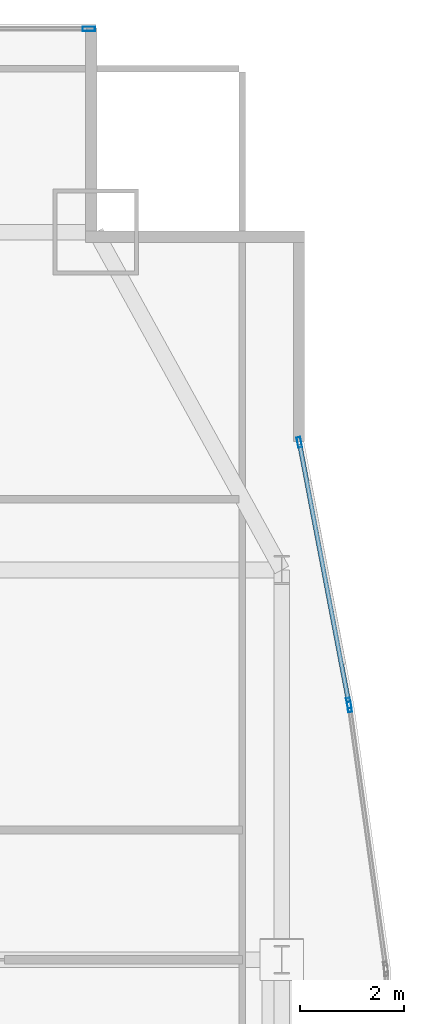
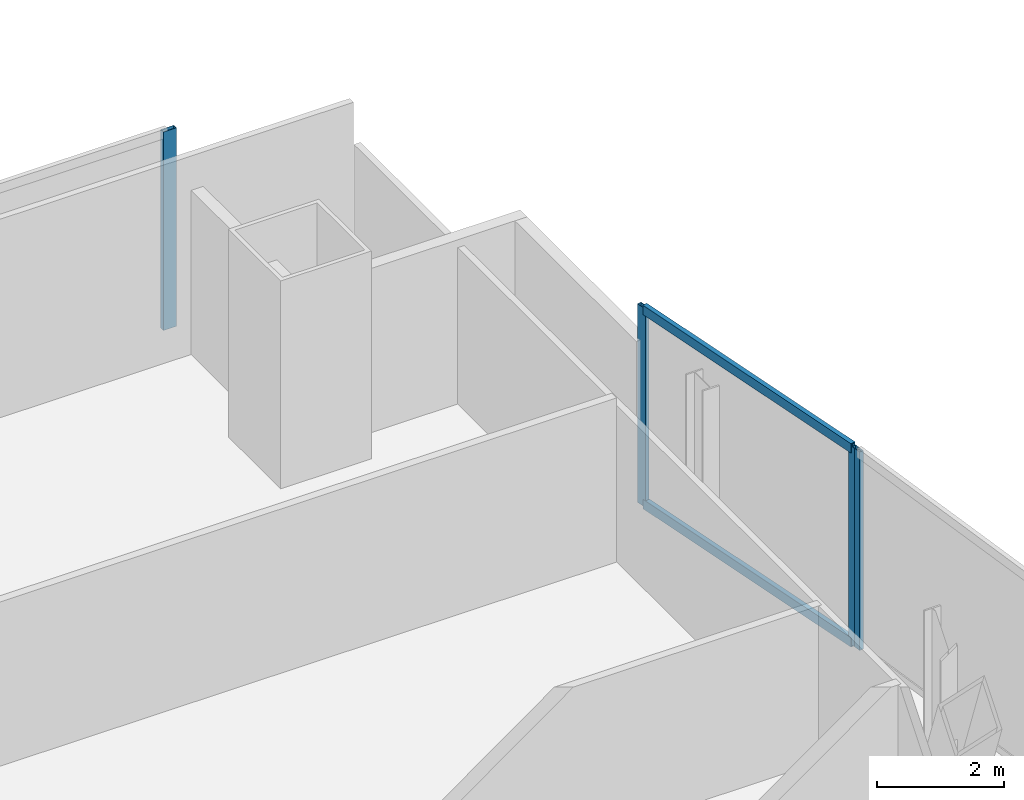
# One storey, part 27 of 37: 6 members, 3 elements without a shape of their own.
"""IFC4 building model written with IfcOpenShell, lengths in metres."""

from ifc_helpers import new_model, si_unit, direction, frame, origin, origin_2d, place, context, subcontext, project, spatial, hollow_rectangle, extrude, material, material_profile, profile_set, type_object, element, aggregate, save


model = new_model("IFC4")

# Units and contexts
model_context = context("Model", 3, precision=1e-05, world=origin(), true_north=direction((0.0, 1.0)))
body_context = subcontext(model_context, "Body", "Model", "MODEL_VIEW")
ifc_project = project(units=[si_unit("LENGTHUNIT", "METRE"), si_unit("AREAUNIT", "SQUARE_METRE"), si_unit("VOLUMEUNIT", "CUBIC_METRE"), si_unit("PLANEANGLEUNIT", "RADIAN"), si_unit("MASSUNIT", "GRAM", prefix="KILO")], contexts=[model_context])

# Site, building, storey
site_placement = place(None, origin())
site = spatial("IfcSite", under=ifc_project, at=site_placement, CompositionType="ELEMENT")
building_placement = place(site_placement, origin())
building = spatial("IfcBuilding", under=site, at=building_placement, Name="Khoronbel Lancet Exchange", CompositionType="ELEMENT")
storey_placement = place(building_placement, frame((0.0, 0.0, 61.800048828125)))
storey = spatial("IfcBuildingStorey", under=building, at=storey_placement, Name="L14", CompositionType="ELEMENT", Elevation=61.800048828125)

# Curtain wall, member
ifc_material_1 = material(Name="Low-E Solar Control Insulating Glass", Category="glass")
curtain_wall_type_1 = type_object("IfcCurtainWallType", Name="CW-1", PredefinedType="NOTDEFINED", material=ifc_material_1)
curtain_wall_1_placement = place(storey_placement, origin())
curtain_wall_1 = element("IfcCurtainWall", 1, at=curtain_wall_1_placement, inside=storey, type_object=curtain_wall_type_1, Name="Unitised curtain wall CW-L14-NEFLK", PredefinedType="NOTDEFINED")
ifc_material_2 = material(Name="Bronze-Anodised Aluminium 6063-T6", Category="aluminium")
ifc_material_profile_1 = material_profile(ifc_material_2, hollow_rectangle(XDim=0.0849609375, YDim=0.239990234375, WallThickness=0.006103515625, at=origin_2d()), Name="ALU MULLION 85x240")
ifc_profile_set_1 = profile_set([ifc_material_profile_1], Name="Bronze-Anodised Aluminium 6063-T6")
member_type_1 = type_object("IfcMemberType", Name="MEM-CWM1", PredefinedType="MULLION", material=ifc_profile_set_1)
member_1_placement = place(storey_placement, frame((67.91748046875, 53.610107421875, 0.0), z_axis=(0.0, 0.0, 1.0), x_axis=(0.0, -1.0, 0.0)))
member_1 = element("IfcMember", 2, at=member_1_placement, type_object=member_type_1, Name="CW1 mullion 1", PredefinedType="MULLION", context=body_context, shape_type="SweptSolid", body=[
    extrude(hollow_rectangle(XDim=0.0849609375, YDim=0.239990234375, WallThickness=0.006103515625, at=origin_2d()), origin(), (0.0, 0.0, 1.0), 3.820068359375),
])
aggregate(curtain_wall_1, [member_1])

# Curtain wall, members
curtain_wall_type_2 = type_object("IfcCurtainWallType", Name="CW-4", PredefinedType="NOTDEFINED", material=ifc_material_1)
curtain_wall_2_placement = place(storey_placement, origin())
curtain_wall_2 = element("IfcCurtainWall", 3, at=curtain_wall_2_placement, inside=storey, type_object=curtain_wall_type_2, Name="Unitised curtain wall CW-L14-E17", PredefinedType="NOTDEFINED")
ifc_material_profile_2 = material_profile(ifc_material_2, hollow_rectangle(XDim=0.074951171875, YDim=0.199951171875, WallThickness=0.0048828125, at=origin_2d()), Name="ALU MULLION 75x200")
ifc_profile_set_2 = profile_set([ifc_material_profile_2], Name="Bronze-Anodised Aluminium 6063-T6")
member_type_2 = type_object("IfcMemberType", Name="MEM-CWM2", PredefinedType="MULLION", material=ifc_profile_set_2)
member_2_placement = place(storey_placement, frame((71.967041015625, 45.654541015625, 0.0), z_axis=(0.0, 0.0, 1.0), x_axis=(0.982445189576, 0.186551466034, 0.0)))
member_2 = element("IfcMember", 4, at=member_2_placement, type_object=member_type_2, Name="CW4 mullion 1", PredefinedType="MULLION", context=body_context, shape_type="SweptSolid", body=[
    extrude(hollow_rectangle(XDim=0.074951171875, YDim=0.199951171875, WallThickness=0.0048828125, at=origin_2d()), origin(), (0.0, 0.0, 1.0), 3.820068359375),
])
member_3_placement = place(storey_placement, frame((72.91943359375, 40.638916015625, 0.0), z_axis=(0.0, 0.0, 1.0), x_axis=(0.982445189576, 0.186551466034, 0.0)))
member_3 = element("IfcMember", 5, at=member_3_placement, type_object=member_type_2, Name="CW4 mullion 2", PredefinedType="MULLION", context=body_context, shape_type="SweptSolid", body=[
    extrude(hollow_rectangle(XDim=0.074951171875, YDim=0.199951171875, WallThickness=0.0048828125, at=origin_2d()), origin(), (0.0, 0.0, 1.0), 3.820068359375),
])

# Curtain wall, member
curtain_wall_3_placement = place(storey_placement, origin())
curtain_wall_3 = element("IfcCurtainWall", 6, at=curtain_wall_3_placement, inside=storey, type_object=curtain_wall_type_2, Name="Unitised curtain wall CW-L14-E18", PredefinedType="NOTDEFINED")
member_4_placement = place(storey_placement, frame((72.931640625, 40.56494140625, 0.0), z_axis=(0.0, 0.0, 1.0), x_axis=(0.9904784605, 0.137667785939, 0.0)))
member_4 = element("IfcMember", 7, at=member_4_placement, type_object=member_type_2, Name="CW4 mullion 1", PredefinedType="MULLION", context=body_context, shape_type="SweptSolid", body=[
    extrude(hollow_rectangle(XDim=0.074951171875, YDim=0.199951171875, WallThickness=0.0048828125, at=origin_2d()), origin(), (0.0, 0.0, 1.0), 3.820068359375),
])
aggregate(curtain_wall_3, [member_4])

# Member
ifc_material_profile_3 = material_profile(ifc_material_2, hollow_rectangle(XDim=0.0849609375, YDim=0.179931640625, WallThickness=0.0048828125, at=origin_2d()), Name="ALU TRANSOM 85x180")
ifc_profile_set_3 = profile_set([ifc_material_profile_3], Name="Bronze-Anodised Aluminium 6063-T6")
member_type_3 = type_object("IfcMemberType", Name="MEM-CWT1", PredefinedType="USERDEFINED", material=ifc_profile_set_3)
member_5_placement = place(storey_placement, frame((71.973876953125, 45.617919921875, 0.04248046875), z_axis=(0.186558998686, -0.982443759209, 0.0), x_axis=(0.982443759209, 0.186558998686, 0.0)))
member_5 = element("IfcMember", 8, at=member_5_placement, type_object=member_type_3, Name="CW4 transom 1.1", ObjectType="TRANSOM", PredefinedType="USERDEFINED", context=body_context, shape_type="SweptSolid", body=[
    extrude(hollow_rectangle(XDim=0.0849609375, YDim=0.179931640625, WallThickness=0.0048828125, at=origin_2d()), origin(), (0.0, 0.0, 1.0), 5.030517578125),
])

member_6_placement = place(storey_placement, frame((71.973876953125, 45.617919921875, 3.77734375), z_axis=(0.186558998686, -0.982443759209, 0.0), x_axis=(0.982443759209, 0.186558998686, 0.0)))
member_6 = element("IfcMember", 9, at=member_6_placement, type_object=member_type_3, Name="CW4 transom 1.2", ObjectType="TRANSOM", PredefinedType="USERDEFINED", context=body_context, shape_type="SweptSolid", body=[
    extrude(hollow_rectangle(XDim=0.0849609375, YDim=0.179931640625, WallThickness=0.0048828125, at=origin_2d()), origin(), (0.0, 0.0, 1.0), 5.030517578125),
])

aggregate(curtain_wall_2, [member_2, member_3, member_5, member_6])

save(model, "model.ifc")
